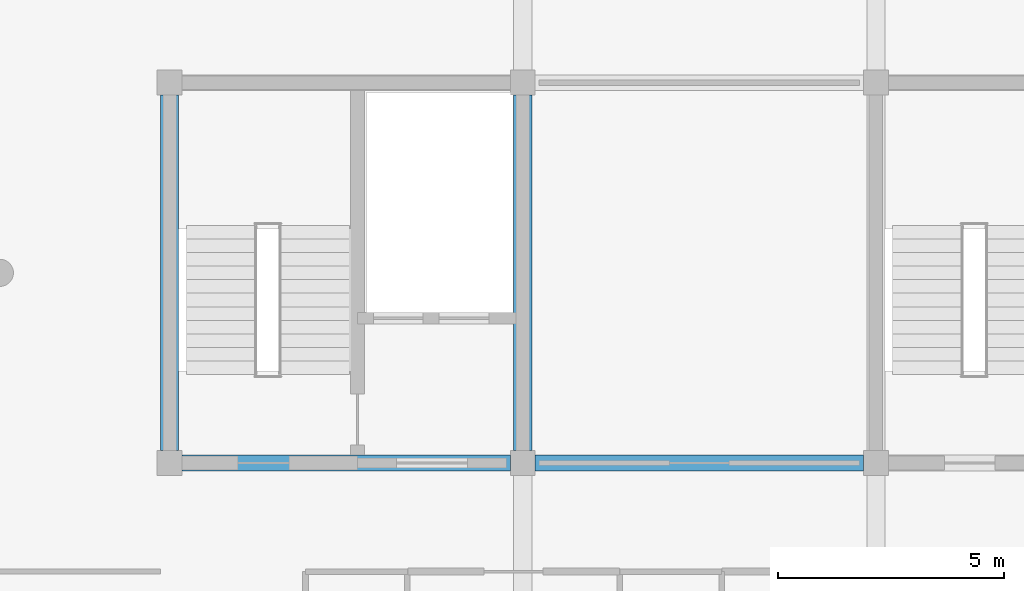
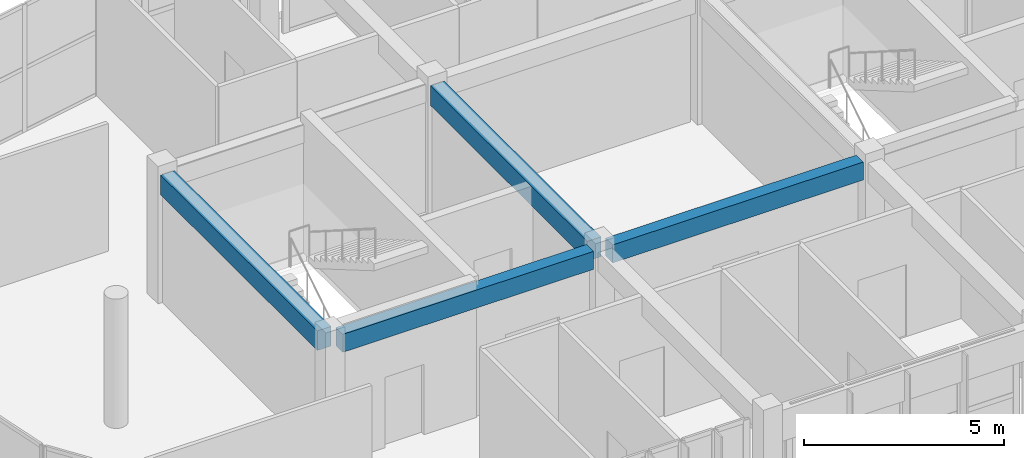
# One storey, part 5 of 44: 4 beams.
"""IFC4 building model written with IfcOpenShell, lengths in metres."""

from ifc_helpers import new_model, si_unit, direction, frame, origin, origin_2d, place, context, subcontext, project, spatial, rectangle, extrude, material, material_profile, profile_set, type_object, element, save


model = new_model("IFC4")

# Units and contexts
model_context = context("Model", 3, precision=1e-05, world=origin(), true_north=direction((0.0, 1.0)))
body_context = subcontext(model_context, "Body", "Model", "MODEL_VIEW")
ifc_project = project(units=[si_unit("LENGTHUNIT", "METRE"), si_unit("AREAUNIT", "SQUARE_METRE"), si_unit("VOLUMEUNIT", "CUBIC_METRE"), si_unit("PLANEANGLEUNIT", "RADIAN"), si_unit("MASSUNIT", "GRAM", prefix="KILO")], contexts=[model_context])

# Site, building, storey
site_placement = place(None, origin())
site = spatial("IfcSite", under=ifc_project, at=site_placement, CompositionType="ELEMENT")
building_placement = place(site_placement, origin())
building = spatial("IfcBuilding", under=site, at=building_placement, Name="Zizhar Promenade General Hospital", CompositionType="ELEMENT")
storey_placement = place(building_placement, frame((0.0, 0.0, 34.800048828125)))
storey = spatial("IfcBuildingStorey", under=building, at=storey_placement, Name="L08", CompositionType="ELEMENT", Elevation=34.800048828125)

# Beams
ifc_material_1 = material(Name="Concrete C35/45", Category="concrete")
ifc_material_profile_1 = material_profile(ifc_material_1, rectangle(XDim=0.35009765625, YDim=0.550048828125, at=origin_2d()))
ifc_profile_set_1 = profile_set([ifc_material_profile_1], Name="Concrete C35/45")
beam_type_1 = type_object("IfcBeamType", Name="BM-RC-350x550", PredefinedType="LINTEL", material=ifc_profile_set_1)
for number, where, z_axis, x_axis, name in (
    (1, (47.074951171875, 8.39990234375, 3.635009765625), (1.0, 0.0, 0.0), (0.0, 1.0, 0.0), "Grid Beam X L08 (6-1)"),
    (2, (54.875, 8.39990234375, 3.635009765625), (1.0, 0.0, 0.0), (0.0, 1.0, 0.0), "Grid Beam X L08 (7-1)"),
):
    element("IfcBeam", number, at=place(storey_placement, frame(where, z_axis=z_axis, x_axis=x_axis)), inside=storey, type_object=beam_type_1, Name=name, PredefinedType="LINTEL", context=body_context, shape_type="SweptSolid", body=[
        extrude(rectangle(XDim=0.35009765625, YDim=0.550048828125, at=origin_2d()), origin(), (0.0, 0.0, 1.0), 7.25),
    ])
ifc_material_2 = material(Name="Concrete C35/45", Category="concrete")
ifc_material_profile_2 = material_profile(ifc_material_2, rectangle(XDim=0.39990234375, YDim=0.60009765625, at=origin_2d()))
ifc_profile_set_2 = profile_set([ifc_material_profile_2], Name="Concrete C35/45")
beam_type_2 = type_object("IfcBeamType", Name="BM-RC-400x600", PredefinedType="JOIST", material=ifc_profile_set_2)
for number, where, z_axis, x_axis, name in (
    (3, (46.800048828125, 8.675048828125, 3.60986328125), (0.0, 1.0, 0.0), (-1.0, 0.0, 0.0), "Grid Beam Y L08 (6-1)"),
    (4, (54.60009765625, 8.675048828125, 3.60986328125), (0.0, 1.0, 0.0), (-1.0, 0.0, 0.0), "Grid Beam Y L08 (7-1)"),
):
    element("IfcBeam", number, at=place(storey_placement, frame(where, z_axis=z_axis, x_axis=x_axis)), inside=storey, type_object=beam_type_2, Name=name, PredefinedType="JOIST", context=body_context, shape_type="SweptSolid", body=[
        extrude(rectangle(XDim=0.39990234375, YDim=0.60009765625, at=origin_2d()), origin(), (0.0, 0.0, 1.0), 7.849853515625),
    ])

save(model, "model.ifc")
